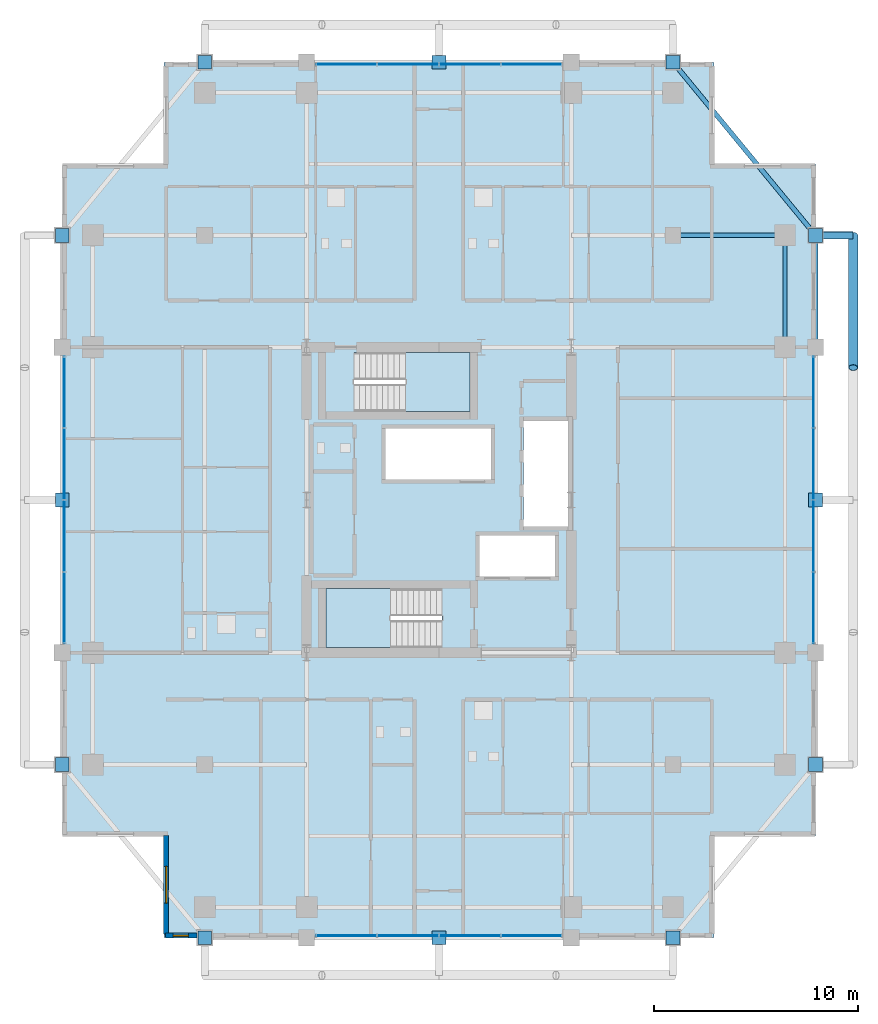
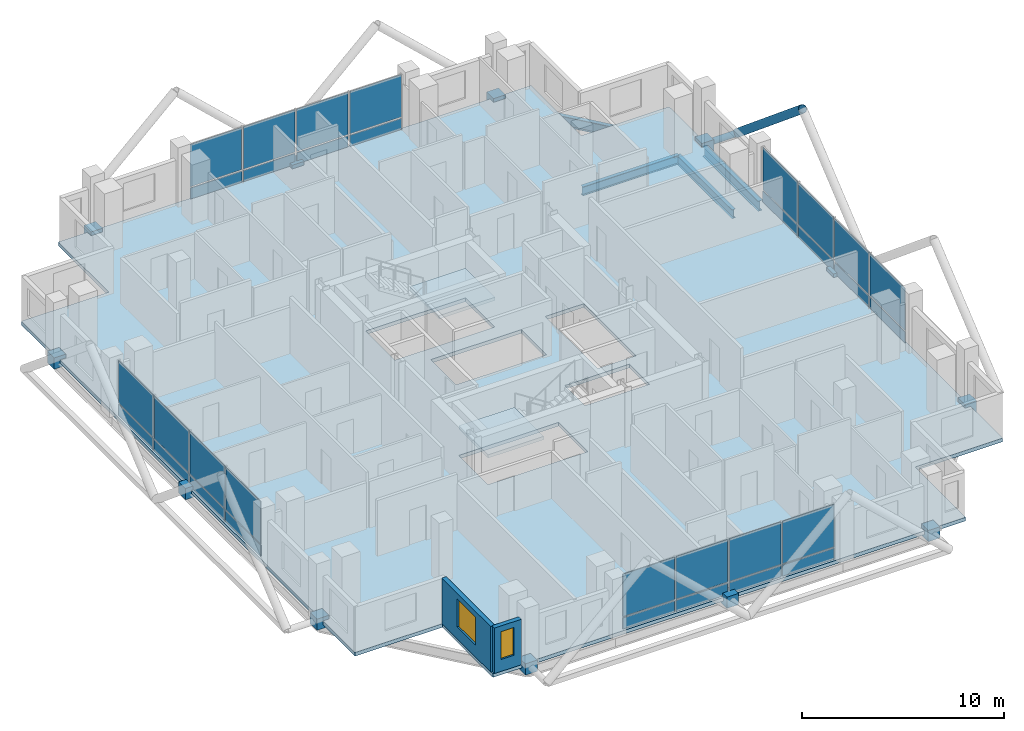
# One storey, part 19 of 26: 44 plates, 4 beams, 3 slabs, 2 members, 2 walls, 2 windows, 2 openings, 6 elements without a shape of their own.
"""IFC4 building model written with IfcOpenShell, lengths in metres."""

from ifc_helpers import new_model, si_unit, direction, frame, frame_2d, origin, origin_2d, place, context, subcontext, project, spatial, polyline, rectangle, hollow_circle, i_section, outline, extrude, material, layer, layer_set, material_profile, profile_set, type_object, element, fill, aggregate, save


model = new_model("IFC4")

# Units and contexts
model_context = context("Model", 3, precision=1e-05, world=origin(), true_north=direction((0.0, 1.0)))
body_context = subcontext(model_context, "Body", "Model", "MODEL_VIEW")
ifc_project = project(units=[si_unit("LENGTHUNIT", "METRE"), si_unit("AREAUNIT", "SQUARE_METRE"), si_unit("VOLUMEUNIT", "CUBIC_METRE"), si_unit("PLANEANGLEUNIT", "RADIAN"), si_unit("MASSUNIT", "GRAM", prefix="KILO")], contexts=[model_context])

# Site, building, storey
site_placement = place(None, origin())
site = spatial("IfcSite", under=ifc_project, at=site_placement, CompositionType="ELEMENT")
building_placement = place(site_placement, origin())
building = spatial("IfcBuilding", under=site, at=building_placement, Name="Barlavira Tower and Art Museum", CompositionType="ELEMENT")
storey_placement = place(building_placement, frame((0.0, 0.0, 187.199951171875)))
storey = spatial("IfcBuildingStorey", under=building, at=storey_placement, Name="L48", CompositionType="ELEMENT", Elevation=187.199951171875)

# Members
ifc_material_1 = material(Name="Steel S355", Category="steel")
ifc_material_profile_1 = material_profile(ifc_material_1, hollow_circle(Radius=0.228515625, WallThickness=0.02001953125, at=origin_2d()), Name="CHS 457.0x20.0")
ifc_profile_set_1 = profile_set([ifc_material_profile_1], Name="Steel S355")
member_type_1 = type_object("IfcMemberType", Name="Pale-Metal Exoskeleton Diagrid Tube CHS 457x20 Steel S355", PredefinedType="BRACE", material=ifc_profile_set_1)
member_1_placement = place(storey_placement, frame((20.35009765625, 13.0, -0.119873046875), z_axis=(0.0, -0.769196053329, 0.639012857104), x_axis=(1.0, 0.0, 0.0)))
element("IfcMember", 1, at=member_1_placement, inside=storey, type_object=member_type_1, Name="L48 Exoskeleton Diagrid Tube E", PredefinedType="BRACE", context=body_context, shape_type="SweptSolid", body=[
    extrude(hollow_circle(Radius=0.228515625, WallThickness=0.02001953125, at=origin_2d()), origin(), (0.0, 0.0, 1.0), 8.450439453125),
])
ifc_material_profile_2 = material_profile(ifc_material_1, hollow_circle(Radius=0.177734375, WallThickness=0.01611328125, at=origin_2d()), Name="CHS 355.6x16.0")
ifc_profile_set_2 = profile_set([ifc_material_profile_2], Name="Steel S355")
member_type_2 = type_object("IfcMemberType", Name="Pale-Metal Exoskeleton Tie Strut CHS 356x16 Steel S355", PredefinedType="STRUT", material=ifc_profile_set_2)
member_2_placement = place(storey_placement, frame((20.35009765625, 13.0, -0.119873046875), z_axis=(-1.0, 0.0, 0.0), x_axis=(0.0, -1.0, 0.0)))
element("IfcMember", 2, at=member_2_placement, inside=storey, type_object=member_type_2, Name="L48 Exoskeleton Tie Strut E3", PredefinedType="STRUT", context=body_context, shape_type="SweptSolid", body=[
    extrude(hollow_circle(Radius=0.177734375, WallThickness=0.01611328125, at=origin_2d()), origin(), (0.0, 0.0, 1.0), 1.85009765625),
])

# Beams
ifc_material_profile_3 = material_profile(ifc_material_1, i_section(OverallWidth=0.22998046875, OverallDepth=0.616943359375, WebThickness=0.01318359375, FlangeThickness=0.022216796875, at=origin_2d()), Name="W610x140.0")
ifc_profile_set_3 = profile_set([ifc_material_profile_3], Name="Steel S355")
beam_type_1 = type_object("IfcBeamType", Name="Upper Shaft Spandrel Edge Beam W610x140 Steel S355", PredefinedType="SPANDREL", material=ifc_profile_set_3)
beam_1_placement = place(storey_placement, frame((18.5, 7.5, -0.528564453125), z_axis=(0.0, 1.0, 0.0), x_axis=(-1.0, 0.0, 0.0)))
element("IfcBeam", 3, at=beam_1_placement, inside=storey, type_object=beam_type_1, Name="L48 Spandrel 7", PredefinedType="SPANDREL", context=body_context, shape_type="SweptSolid", body=[
    extrude(i_section(OverallWidth=0.22998046875, OverallDepth=0.616943359375, WebThickness=0.01318359375, FlangeThickness=0.022216796875, at=origin_2d()), origin(), (0.0, 0.0, 1.0), 5.5),
])
beam_2_placement = place(storey_placement, frame((18.5, 13.0, -0.528564453125), z_axis=(-0.635707252861, 0.771930235617, 0.0), x_axis=(-0.771930235617, -0.635707252861, 0.0)))
element("IfcBeam", 4, at=beam_2_placement, inside=storey, type_object=beam_type_1, Name="L48 Spandrel 8", PredefinedType="SPANDREL", context=body_context, shape_type="SweptSolid", body=[
    extrude(i_section(OverallWidth=0.22998046875, OverallDepth=0.616943359375, WebThickness=0.01318359375, FlangeThickness=0.022216796875, at=origin_2d()), origin(), (0.0, 0.0, 1.0), 11.011474609375),
])
ifc_material_profile_4 = material_profile(ifc_material_1, i_section(OverallWidth=0.2109375, OverallDepth=0.5390625, WebThickness=0.01171875, FlangeThickness=0.018798828125, at=origin_2d()), Name="W530x109.0")
ifc_profile_set_4 = profile_set([ifc_material_profile_4], Name="Steel S355")
beam_type_2 = type_object("IfcBeamType", Name="Zone 3-4 Primary Floor Girder W530x109 Steel S355", PredefinedType="BEAM", material=ifc_profile_set_4)
for number, where, z_axis, x_axis, name in (
    (5, (17.0, 7.5, -0.489501953125), (0.0, 1.0, 0.0), (-1.0, 0.0, 0.0), "L48 Girder M-E3"),
    (6, (11.5, 13.0, -0.489501953125), (1.0, 0.0, 0.0), (0.0, 1.0, 0.0), "L48 Girder I-N4"),
):
    element("IfcBeam", number, at=place(storey_placement, frame(where, z_axis=z_axis, x_axis=x_axis)), inside=storey, type_object=beam_type_2, Name=name, PredefinedType="BEAM", context=body_context, shape_type="SweptSolid", body=[
        extrude(i_section(OverallWidth=0.2109375, OverallDepth=0.5390625, WebThickness=0.01171875, FlangeThickness=0.018798828125, at=origin_2d()), origin(), (0.0, 0.0, 1.0), 5.5),
    ])

# Curtain wall, plates
ifc_material_2 = material(Name="Low-iron coastal laminated glass", Category="glass")
ifc_layer_1 = layer(ifc_material_2, 0.199951171875, Name="Low-iron coastal laminated glass")
ifc_layer_set_1 = layer_set([ifc_layer_1], Name="Low-iron coastal laminated glass")
curtain_wall_type = type_object("IfcCurtainWallType", Name="Pale-Metal Unitised Curtain Wall Zone 3", PredefinedType="NOTDEFINED", material=ifc_layer_set_1)
curtain_wall_1_placement = place(storey_placement, origin())
curtain_wall_1 = element("IfcCurtainWall", 7, at=curtain_wall_1_placement, inside=storey, type_object=curtain_wall_type, Name="L48 Curtain Wall CW3-L48-S-B3", PredefinedType="NOTDEFINED")
ifc_material_3 = material(Name="Pale anodised aluminium", Category="aluminium")
ifc_layer_2 = layer(ifc_material_3, 0.044921875, Name="Pale anodised aluminium")
ifc_layer_set_2 = layer_set([ifc_layer_2], Name="Pale anodised aluminium")
plate_type_1 = type_object("IfcPlateType", Name="Curtain Wall Pale-Metal Spandrel Panel 45", PredefinedType="CURTAIN_PANEL", material=ifc_layer_set_2)
plate_1_placement = place(storey_placement, frame((-4.56005859375, -21.39990234375, 0.0400390625), z_axis=(0.0, 0.0, 1.0), x_axis=(1.0, 0.0, 0.0)))
plate_1 = element("IfcPlate", 8, at=plate_1_placement, type_object=plate_type_1, Name="CW3-L48-S-B3 Spandrel Panel 0", PredefinedType="CURTAIN_PANEL", context=body_context, shape_type="SweptSolid", body=[
    extrude(rectangle(XDim=2.93994140625, YDim=0.044921875, at=origin_2d()), origin(), (0.0, 0.0, 1.0), 0.6640625),
])
plate_2_placement = place(storey_placement, frame((-1.52001953125, -21.39990234375, 0.0400390625), z_axis=(0.0, 0.0, 1.0), x_axis=(1.0, 0.0, 0.0)))
plate_2 = element("IfcPlate", 9, at=plate_2_placement, type_object=plate_type_1, Name="CW3-L48-S-B3 Spandrel Panel 1", PredefinedType="CURTAIN_PANEL", context=body_context, shape_type="SweptSolid", body=[
    extrude(rectangle(XDim=2.93994140625, YDim=0.044921875, at=origin_2d()), origin(), (0.0, 0.0, 1.0), 0.6640625),
])
plate_3_placement = place(storey_placement, frame((1.52001953125, -21.39990234375, 0.0400390625), z_axis=(0.0, 0.0, 1.0), x_axis=(1.0, 0.0, 0.0)))
plate_3 = element("IfcPlate", 10, at=plate_3_placement, type_object=plate_type_1, Name="CW3-L48-S-B3 Spandrel Panel 2", PredefinedType="CURTAIN_PANEL", context=body_context, shape_type="SweptSolid", body=[
    extrude(rectangle(XDim=2.93994140625, YDim=0.044921875, at=origin_2d()), origin(), (0.0, 0.0, 1.0), 0.6640625),
])
plate_4_placement = place(storey_placement, frame((4.56005859375, -21.39990234375, 0.0400390625), z_axis=(0.0, 0.0, 1.0), x_axis=(1.0, 0.0, 0.0)))
plate_4 = element("IfcPlate", 11, at=plate_4_placement, type_object=plate_type_1, Name="CW3-L48-S-B3 Spandrel Panel 3", PredefinedType="CURTAIN_PANEL", context=body_context, shape_type="SweptSolid", body=[
    extrude(rectangle(XDim=2.93994140625, YDim=0.044921875, at=origin_2d()), origin(), (0.0, 0.0, 1.0), 0.6640625),
])

curtain_wall_2_placement = place(storey_placement, origin())
curtain_wall_2 = element("IfcCurtainWall", 12, at=curtain_wall_2_placement, inside=storey, type_object=curtain_wall_type, Name="L48 Curtain Wall CW3-L48-N-B3", PredefinedType="NOTDEFINED")
plate_5_placement = place(storey_placement, frame((4.56005859375, 21.39990234375, 0.0400390625), z_axis=(0.0, 0.0, 1.0), x_axis=(-1.0, 0.0, 0.0)))
plate_5 = element("IfcPlate", 13, at=plate_5_placement, type_object=plate_type_1, Name="CW3-L48-N-B3 Spandrel Panel 0", PredefinedType="CURTAIN_PANEL", context=body_context, shape_type="SweptSolid", body=[
    extrude(rectangle(XDim=2.93994140625, YDim=0.044921875, at=origin_2d()), origin(), (0.0, 0.0, 1.0), 0.6640625),
])
plate_6_placement = place(storey_placement, frame((1.52001953125, 21.39990234375, 0.0400390625), z_axis=(0.0, 0.0, 1.0), x_axis=(-1.0, 0.0, 0.0)))
plate_6 = element("IfcPlate", 14, at=plate_6_placement, type_object=plate_type_1, Name="CW3-L48-N-B3 Spandrel Panel 1", PredefinedType="CURTAIN_PANEL", context=body_context, shape_type="SweptSolid", body=[
    extrude(rectangle(XDim=2.93994140625, YDim=0.044921875, at=origin_2d()), origin(), (0.0, 0.0, 1.0), 0.6640625),
])
plate_7_placement = place(storey_placement, frame((-1.52001953125, 21.39990234375, 0.0400390625), z_axis=(0.0, 0.0, 1.0), x_axis=(-1.0, 0.0, 0.0)))
plate_7 = element("IfcPlate", 15, at=plate_7_placement, type_object=plate_type_1, Name="CW3-L48-N-B3 Spandrel Panel 2", PredefinedType="CURTAIN_PANEL", context=body_context, shape_type="SweptSolid", body=[
    extrude(rectangle(XDim=2.93994140625, YDim=0.044921875, at=origin_2d()), origin(), (0.0, 0.0, 1.0), 0.6640625),
])
plate_8_placement = place(storey_placement, frame((-4.56005859375, 21.39990234375, 0.0400390625), z_axis=(0.0, 0.0, 1.0), x_axis=(-1.0, 0.0, 0.0)))
plate_8 = element("IfcPlate", 16, at=plate_8_placement, type_object=plate_type_1, Name="CW3-L48-N-B3 Spandrel Panel 3", PredefinedType="CURTAIN_PANEL", context=body_context, shape_type="SweptSolid", body=[
    extrude(rectangle(XDim=2.93994140625, YDim=0.044921875, at=origin_2d()), origin(), (0.0, 0.0, 1.0), 0.6640625),
])

curtain_wall_3_placement = place(storey_placement, origin())
curtain_wall_3 = element("IfcCurtainWall", 17, at=curtain_wall_3_placement, inside=storey, type_object=curtain_wall_type, Name="L48 Curtain Wall CW3-L48-W-B3", PredefinedType="NOTDEFINED")
plate_9_placement = place(storey_placement, frame((-18.39990234375, 5.31005859375, 0.0400390625), z_axis=(0.0, 0.0, 1.0), x_axis=(0.0, -1.0, 0.0)))
plate_9 = element("IfcPlate", 18, at=plate_9_placement, type_object=plate_type_1, Name="CW3-L48-W-B3 Spandrel Panel 0", PredefinedType="CURTAIN_PANEL", context=body_context, shape_type="SweptSolid", body=[
    extrude(rectangle(XDim=3.43994140625, YDim=0.044921875, at=origin_2d()), origin(), (0.0, 0.0, 1.0), 0.6640625),
])
plate_10_placement = place(storey_placement, frame((-18.39990234375, 1.77001953125, 0.0400390625), z_axis=(0.0, 0.0, 1.0), x_axis=(0.0, -1.0, 0.0)))
plate_10 = element("IfcPlate", 19, at=plate_10_placement, type_object=plate_type_1, Name="CW3-L48-W-B3 Spandrel Panel 1", PredefinedType="CURTAIN_PANEL", context=body_context, shape_type="SweptSolid", body=[
    extrude(rectangle(XDim=3.43994140625, YDim=0.044921875, at=origin_2d()), origin(), (0.0, 0.0, 1.0), 0.6640625),
])
plate_11_placement = place(storey_placement, frame((-18.39990234375, -1.77001953125, 0.0400390625), z_axis=(0.0, 0.0, 1.0), x_axis=(0.0, -1.0, 0.0)))
plate_11 = element("IfcPlate", 20, at=plate_11_placement, type_object=plate_type_1, Name="CW3-L48-W-B3 Spandrel Panel 2", PredefinedType="CURTAIN_PANEL", context=body_context, shape_type="SweptSolid", body=[
    extrude(rectangle(XDim=3.43994140625, YDim=0.044921875, at=origin_2d()), origin(), (0.0, 0.0, 1.0), 0.6640625),
])
plate_12_placement = place(storey_placement, frame((-18.39990234375, -5.31005859375, 0.0400390625), z_axis=(0.0, 0.0, 1.0), x_axis=(0.0, -1.0, 0.0)))
plate_12 = element("IfcPlate", 21, at=plate_12_placement, type_object=plate_type_1, Name="CW3-L48-W-B3 Spandrel Panel 3", PredefinedType="CURTAIN_PANEL", context=body_context, shape_type="SweptSolid", body=[
    extrude(rectangle(XDim=3.43994140625, YDim=0.044921875, at=origin_2d()), origin(), (0.0, 0.0, 1.0), 0.6640625),
])

curtain_wall_4_placement = place(storey_placement, origin())
curtain_wall_4 = element("IfcCurtainWall", 22, at=curtain_wall_4_placement, inside=storey, type_object=curtain_wall_type, Name="L48 Curtain Wall CW3-L48-E-B3", PredefinedType="NOTDEFINED")
plate_13_placement = place(storey_placement, frame((18.39990234375, -5.31005859375, 0.0400390625), z_axis=(0.0, 0.0, 1.0), x_axis=(0.0, 1.0, 0.0)))
plate_13 = element("IfcPlate", 23, at=plate_13_placement, type_object=plate_type_1, Name="CW3-L48-E-B3 Spandrel Panel 0", PredefinedType="CURTAIN_PANEL", context=body_context, shape_type="SweptSolid", body=[
    extrude(rectangle(XDim=3.43994140625, YDim=0.044921875, at=origin_2d()), origin(), (0.0, 0.0, 1.0), 0.6640625),
])
plate_14_placement = place(storey_placement, frame((18.39990234375, -1.77001953125, 0.0400390625), z_axis=(0.0, 0.0, 1.0), x_axis=(0.0, 1.0, 0.0)))
plate_14 = element("IfcPlate", 24, at=plate_14_placement, type_object=plate_type_1, Name="CW3-L48-E-B3 Spandrel Panel 1", PredefinedType="CURTAIN_PANEL", context=body_context, shape_type="SweptSolid", body=[
    extrude(rectangle(XDim=3.43994140625, YDim=0.044921875, at=origin_2d()), origin(), (0.0, 0.0, 1.0), 0.6640625),
])
plate_15_placement = place(storey_placement, frame((18.39990234375, 1.77001953125, 0.0400390625), z_axis=(0.0, 0.0, 1.0), x_axis=(0.0, 1.0, 0.0)))
plate_15 = element("IfcPlate", 25, at=plate_15_placement, type_object=plate_type_1, Name="CW3-L48-E-B3 Spandrel Panel 2", PredefinedType="CURTAIN_PANEL", context=body_context, shape_type="SweptSolid", body=[
    extrude(rectangle(XDim=3.43994140625, YDim=0.044921875, at=origin_2d()), origin(), (0.0, 0.0, 1.0), 0.6640625),
])
plate_16_placement = place(storey_placement, frame((18.39990234375, 5.31005859375, 0.0400390625), z_axis=(0.0, 0.0, 1.0), x_axis=(0.0, 1.0, 0.0)))
plate_16 = element("IfcPlate", 26, at=plate_16_placement, type_object=plate_type_1, Name="CW3-L48-E-B3 Spandrel Panel 3", PredefinedType="CURTAIN_PANEL", context=body_context, shape_type="SweptSolid", body=[
    extrude(rectangle(XDim=3.43994140625, YDim=0.044921875, at=origin_2d()), origin(), (0.0, 0.0, 1.0), 0.6640625),
])

# Plate
ifc_layer_3 = layer(ifc_material_2, 0.028076171875, Name="Low-iron coastal laminated glass")
ifc_layer_set_3 = layer_set([ifc_layer_3], Name="Low-iron coastal laminated glass")
plate_type_2 = type_object("IfcPlateType", Name="Curtain Wall Vision Glazing Panel 28", PredefinedType="CURTAIN_PANEL", material=ifc_layer_set_3)
plate_17_placement = place(storey_placement, frame((-4.56005859375, -21.39990234375, 0.7841796875), z_axis=(0.0, 0.0, 1.0), x_axis=(1.0, 0.0, 0.0)))
plate_17 = element("IfcPlate", 27, at=plate_17_placement, type_object=plate_type_2, Name="CW3-L48-S-B3 Vision Glass Panel 0", PredefinedType="CURTAIN_PANEL", context=body_context, shape_type="SweptSolid", body=[
    extrude(rectangle(XDim=2.93994140625, YDim=0.028076171875, at=origin_2d()), origin(), (0.0, 0.0, 1.0), 2.555908203125),
])

plate_18_placement = place(storey_placement, frame((-1.52001953125, -21.39990234375, 0.7841796875), z_axis=(0.0, 0.0, 1.0), x_axis=(1.0, 0.0, 0.0)))
plate_18 = element("IfcPlate", 28, at=plate_18_placement, type_object=plate_type_2, Name="CW3-L48-S-B3 Vision Glass Panel 1", PredefinedType="CURTAIN_PANEL", context=body_context, shape_type="SweptSolid", body=[
    extrude(rectangle(XDim=2.93994140625, YDim=0.028076171875, at=origin_2d()), origin(), (0.0, 0.0, 1.0), 2.555908203125),
])

plate_19_placement = place(storey_placement, frame((1.52001953125, -21.39990234375, 0.7841796875), z_axis=(0.0, 0.0, 1.0), x_axis=(1.0, 0.0, 0.0)))
plate_19 = element("IfcPlate", 29, at=plate_19_placement, type_object=plate_type_2, Name="CW3-L48-S-B3 Vision Glass Panel 2", PredefinedType="CURTAIN_PANEL", context=body_context, shape_type="SweptSolid", body=[
    extrude(rectangle(XDim=2.93994140625, YDim=0.028076171875, at=origin_2d()), origin(), (0.0, 0.0, 1.0), 2.555908203125),
])

plate_20_placement = place(storey_placement, frame((4.56005859375, -21.39990234375, 0.7841796875), z_axis=(0.0, 0.0, 1.0), x_axis=(1.0, 0.0, 0.0)))
plate_20 = element("IfcPlate", 30, at=plate_20_placement, type_object=plate_type_2, Name="CW3-L48-S-B3 Vision Glass Panel 3", PredefinedType="CURTAIN_PANEL", context=body_context, shape_type="SweptSolid", body=[
    extrude(rectangle(XDim=2.93994140625, YDim=0.028076171875, at=origin_2d()), origin(), (0.0, 0.0, 1.0), 2.555908203125),
])

aggregate(curtain_wall_1, [plate_1, plate_17, plate_2, plate_18, plate_3, plate_19, plate_4, plate_20])

plate_21_placement = place(storey_placement, frame((4.56005859375, 21.39990234375, 0.7841796875), z_axis=(0.0, 0.0, 1.0), x_axis=(-1.0, 0.0, 0.0)))
plate_21 = element("IfcPlate", 31, at=plate_21_placement, type_object=plate_type_2, Name="CW3-L48-N-B3 Vision Glass Panel 0", PredefinedType="CURTAIN_PANEL", context=body_context, shape_type="SweptSolid", body=[
    extrude(rectangle(XDim=2.93994140625, YDim=0.028076171875, at=origin_2d()), origin(), (0.0, 0.0, 1.0), 2.555908203125),
])

plate_22_placement = place(storey_placement, frame((1.52001953125, 21.39990234375, 0.7841796875), z_axis=(0.0, 0.0, 1.0), x_axis=(-1.0, 0.0, 0.0)))
plate_22 = element("IfcPlate", 32, at=plate_22_placement, type_object=plate_type_2, Name="CW3-L48-N-B3 Vision Glass Panel 1", PredefinedType="CURTAIN_PANEL", context=body_context, shape_type="SweptSolid", body=[
    extrude(rectangle(XDim=2.93994140625, YDim=0.028076171875, at=origin_2d()), origin(), (0.0, 0.0, 1.0), 2.555908203125),
])

plate_23_placement = place(storey_placement, frame((-1.52001953125, 21.39990234375, 0.7841796875), z_axis=(0.0, 0.0, 1.0), x_axis=(-1.0, 0.0, 0.0)))
plate_23 = element("IfcPlate", 33, at=plate_23_placement, type_object=plate_type_2, Name="CW3-L48-N-B3 Vision Glass Panel 2", PredefinedType="CURTAIN_PANEL", context=body_context, shape_type="SweptSolid", body=[
    extrude(rectangle(XDim=2.93994140625, YDim=0.028076171875, at=origin_2d()), origin(), (0.0, 0.0, 1.0), 2.555908203125),
])

plate_24_placement = place(storey_placement, frame((-4.56005859375, 21.39990234375, 0.7841796875), z_axis=(0.0, 0.0, 1.0), x_axis=(-1.0, 0.0, 0.0)))
plate_24 = element("IfcPlate", 34, at=plate_24_placement, type_object=plate_type_2, Name="CW3-L48-N-B3 Vision Glass Panel 3", PredefinedType="CURTAIN_PANEL", context=body_context, shape_type="SweptSolid", body=[
    extrude(rectangle(XDim=2.93994140625, YDim=0.028076171875, at=origin_2d()), origin(), (0.0, 0.0, 1.0), 2.555908203125),
])

aggregate(curtain_wall_2, [plate_5, plate_21, plate_6, plate_22, plate_7, plate_23, plate_8, plate_24])

plate_25_placement = place(storey_placement, frame((-18.39990234375, 5.31005859375, 0.7841796875), z_axis=(0.0, 0.0, 1.0), x_axis=(0.0, -1.0, 0.0)))
plate_25 = element("IfcPlate", 35, at=plate_25_placement, type_object=plate_type_2, Name="CW3-L48-W-B3 Vision Glass Panel 0", PredefinedType="CURTAIN_PANEL", context=body_context, shape_type="SweptSolid", body=[
    extrude(rectangle(XDim=3.43994140625, YDim=0.028076171875, at=origin_2d()), origin(), (0.0, 0.0, 1.0), 2.555908203125),
])

plate_26_placement = place(storey_placement, frame((-18.39990234375, 1.77001953125, 0.7841796875), z_axis=(0.0, 0.0, 1.0), x_axis=(0.0, -1.0, 0.0)))
plate_26 = element("IfcPlate", 36, at=plate_26_placement, type_object=plate_type_2, Name="CW3-L48-W-B3 Vision Glass Panel 1", PredefinedType="CURTAIN_PANEL", context=body_context, shape_type="SweptSolid", body=[
    extrude(rectangle(XDim=3.43994140625, YDim=0.028076171875, at=origin_2d()), origin(), (0.0, 0.0, 1.0), 2.555908203125),
])

plate_27_placement = place(storey_placement, frame((-18.39990234375, -1.77001953125, 0.7841796875), z_axis=(0.0, 0.0, 1.0), x_axis=(0.0, -1.0, 0.0)))
plate_27 = element("IfcPlate", 37, at=plate_27_placement, type_object=plate_type_2, Name="CW3-L48-W-B3 Vision Glass Panel 2", PredefinedType="CURTAIN_PANEL", context=body_context, shape_type="SweptSolid", body=[
    extrude(rectangle(XDim=3.43994140625, YDim=0.028076171875, at=origin_2d()), origin(), (0.0, 0.0, 1.0), 2.555908203125),
])

plate_28_placement = place(storey_placement, frame((-18.39990234375, -5.31005859375, 0.7841796875), z_axis=(0.0, 0.0, 1.0), x_axis=(0.0, -1.0, 0.0)))
plate_28 = element("IfcPlate", 38, at=plate_28_placement, type_object=plate_type_2, Name="CW3-L48-W-B3 Vision Glass Panel 3", PredefinedType="CURTAIN_PANEL", context=body_context, shape_type="SweptSolid", body=[
    extrude(rectangle(XDim=3.43994140625, YDim=0.028076171875, at=origin_2d()), origin(), (0.0, 0.0, 1.0), 2.555908203125),
])

aggregate(curtain_wall_3, [plate_9, plate_25, plate_10, plate_26, plate_11, plate_27, plate_12, plate_28])

plate_29_placement = place(storey_placement, frame((18.39990234375, -5.31005859375, 0.7841796875), z_axis=(0.0, 0.0, 1.0), x_axis=(0.0, 1.0, 0.0)))
plate_29 = element("IfcPlate", 39, at=plate_29_placement, type_object=plate_type_2, Name="CW3-L48-E-B3 Vision Glass Panel 0", PredefinedType="CURTAIN_PANEL", context=body_context, shape_type="SweptSolid", body=[
    extrude(rectangle(XDim=3.43994140625, YDim=0.028076171875, at=origin_2d()), origin(), (0.0, 0.0, 1.0), 2.555908203125),
])

plate_30_placement = place(storey_placement, frame((18.39990234375, -1.77001953125, 0.7841796875), z_axis=(0.0, 0.0, 1.0), x_axis=(0.0, 1.0, 0.0)))
plate_30 = element("IfcPlate", 40, at=plate_30_placement, type_object=plate_type_2, Name="CW3-L48-E-B3 Vision Glass Panel 1", PredefinedType="CURTAIN_PANEL", context=body_context, shape_type="SweptSolid", body=[
    extrude(rectangle(XDim=3.43994140625, YDim=0.028076171875, at=origin_2d()), origin(), (0.0, 0.0, 1.0), 2.555908203125),
])

plate_31_placement = place(storey_placement, frame((18.39990234375, 1.77001953125, 0.7841796875), z_axis=(0.0, 0.0, 1.0), x_axis=(0.0, 1.0, 0.0)))
plate_31 = element("IfcPlate", 41, at=plate_31_placement, type_object=plate_type_2, Name="CW3-L48-E-B3 Vision Glass Panel 2", PredefinedType="CURTAIN_PANEL", context=body_context, shape_type="SweptSolid", body=[
    extrude(rectangle(XDim=3.43994140625, YDim=0.028076171875, at=origin_2d()), origin(), (0.0, 0.0, 1.0), 2.555908203125),
])

plate_32_placement = place(storey_placement, frame((18.39990234375, 5.31005859375, 0.7841796875), z_axis=(0.0, 0.0, 1.0), x_axis=(0.0, 1.0, 0.0)))
plate_32 = element("IfcPlate", 42, at=plate_32_placement, type_object=plate_type_2, Name="CW3-L48-E-B3 Vision Glass Panel 3", PredefinedType="CURTAIN_PANEL", context=body_context, shape_type="SweptSolid", body=[
    extrude(rectangle(XDim=3.43994140625, YDim=0.028076171875, at=origin_2d()), origin(), (0.0, 0.0, 1.0), 2.555908203125),
])

aggregate(curtain_wall_4, [plate_13, plate_29, plate_14, plate_30, plate_15, plate_31, plate_16, plate_32])

# Plates
ifc_layer_4 = layer(ifc_material_1, 0.679931640625, Name="Steel S355")
ifc_layer_set_4 = layer_set([ifc_layer_4], Name="Steel S355")
plate_type_3 = type_object("IfcPlateType", Name="Exoskeleton Tie-Back Solid Cap Plate Assembly Type 5 Steel S355", PredefinedType="USERDEFINED", material=ifc_layer_set_4)
for number, where, z_axis, x_axis, name in (
    (43, (-11.5, -21.5, -0.4599609375), (0.0, 0.0, 1.0), (1.0, 0.0, 0.0), "Slab Edge Tie Cap Plate S1 ND-L48-0522"),
    (44, (0.0, -21.5, -0.4599609375), (0.0, 0.0, 1.0), (1.0, 0.0, 0.0), "Slab Edge Tie Cap Plate S2 ND-L48-0523"),
    (45, (11.5, -21.5, -0.4599609375), (0.0, 0.0, 1.0), (1.0, 0.0, 0.0), "Slab Edge Tie Cap Plate S3 ND-L48-0524"),
    (46, (-11.5, 21.5, -0.4599609375), (0.0, 0.0, 1.0), (1.0, 0.0, 0.0), "Slab Edge Tie Cap Plate N1 ND-L48-0530"),
    (47, (0.0, 21.5, -0.4599609375), (0.0, 0.0, 1.0), (1.0, 0.0, 0.0), "Slab Edge Tie Cap Plate N2 ND-L48-0531"),
    (48, (11.5, 21.5, -0.4599609375), (0.0, 0.0, 1.0), (1.0, 0.0, 0.0), "Slab Edge Tie Cap Plate N3 ND-L48-0532"),
    (49, (-18.5, -13.0, -0.4599609375), (0.0, 0.0, 1.0), (1.0, 0.0, 0.0), "Slab Edge Tie Cap Plate W1 ND-L48-0538"),
    (50, (-18.5, 0.0, -0.4599609375), (0.0, 0.0, 1.0), (1.0, 0.0, 0.0), "Slab Edge Tie Cap Plate W2 ND-L48-0539"),
    (51, (-18.5, 13.0, -0.4599609375), (0.0, 0.0, 1.0), (1.0, 0.0, 0.0), "Slab Edge Tie Cap Plate W3 ND-L48-0540"),
    (52, (18.5, -13.0, -0.4599609375), (0.0, 0.0, 1.0), (1.0, 0.0, 0.0), "Slab Edge Tie Cap Plate E1 ND-L48-0546"),
    (53, (18.5, 0.0, -0.4599609375), (0.0, 0.0, 1.0), (1.0, 0.0, 0.0), "Slab Edge Tie Cap Plate E2 ND-L48-0547"),
    (54, (18.5, 13.0, -0.4599609375), (0.0, 0.0, 1.0), (1.0, 0.0, 0.0), "Slab Edge Tie Cap Plate E3 ND-L48-0548"),
):
    element("IfcPlate", number, at=place(storey_placement, frame(where, z_axis=z_axis, x_axis=x_axis)), inside=storey, type_object=plate_type_3, Name=name, ObjectType="FLANGE_PLATE", PredefinedType="USERDEFINED", context=body_context, shape_type="SweptSolid", body=[
        extrude(rectangle(XDim=0.679931640625, YDim=0.679931640625, at=origin_2d()), origin(), (0.0, 0.0, 1.0), 0.679931640625),
    ])

# Stair, slab
ifc_material_4 = material(Name="Concrete C45", Category="concrete")
stair_type_1 = type_object("IfcStairType", Name="Tower North Dog-Leg Exit Stair Assembly Concrete C45", PredefinedType="TWO_QUARTER_TURN_STAIR", material=ifc_material_4)
stair_1_placement = place(storey_placement, origin())
stair_1 = element("IfcStair", 55, at=stair_1_placement, inside=storey, type_object=stair_type_1, Name="L48 Tower North Exit Stair ST-T2", PredefinedType="TWO_QUARTER_TURN_STAIR")
ifc_layer_5 = layer(ifc_material_4, 0.199951171875, Name="Concrete C45")
ifc_layer_set_5 = layer_set([ifc_layer_5], Name="Concrete C45")
slab_type_1 = type_object("IfcSlabType", Name="Tower North Dog-Leg Exit Stair Half-Landing Slab 200 Concrete C45", PredefinedType="LANDING", material=ifc_layer_set_5)
slab_1_placement = place(storey_placement, frame((0.0, 0.0, 1.60009765625)))
slab_1 = element("IfcSlab", 56, at=slab_1_placement, type_object=slab_type_1, Name="ST-T2 landing 1", PredefinedType="LANDING", context=body_context, shape_type="SweptSolid", body=[
    extrude(outline(polyline([(-1.64990234375, 4.35009765625), (1.530029296875, 4.35009765625), (1.530029296875, 7.25), (-1.64990234375, 7.25), (-1.64990234375, 4.35009765625)])), origin(), (0.0, 0.0, 1.0), 0.199951171875),
])
aggregate(stair_1, [slab_1])

stair_type_2 = type_object("IfcStairType", Name="Tower South Dog-Leg Exit Stair Assembly Concrete C45", PredefinedType="TWO_QUARTER_TURN_STAIR", material=ifc_material_4)
stair_2_placement = place(storey_placement, origin())
stair_2 = element("IfcStair", 57, at=stair_2_placement, inside=storey, type_object=stair_type_2, Name="L48 Tower South Exit Stair ST-T1", PredefinedType="TWO_QUARTER_TURN_STAIR")
ifc_layer_6 = layer(ifc_material_4, 0.199951171875, Name="Concrete C45")
ifc_layer_set_6 = layer_set([ifc_layer_6], Name="Concrete C45")
slab_type_2 = type_object("IfcSlabType", Name="Tower South Dog-Leg Exit Stair Half-Landing Slab 200 Concrete C45", PredefinedType="LANDING", material=ifc_layer_set_6)
slab_2_placement = place(storey_placement, frame((0.0, 0.0, 1.60009765625)))
slab_2 = element("IfcSlab", 58, at=slab_2_placement, type_object=slab_type_2, Name="ST-T1 landing 1", PredefinedType="LANDING", context=body_context, shape_type="SweptSolid", body=[
    extrude(outline(polyline([(-2.3701171875, -4.35009765625), (-5.550048828125, -4.35009765625), (-5.550048828125, -7.25), (-2.3701171875, -7.25), (-2.3701171875, -4.35009765625)])), origin(), (0.0, 0.0, 1.0), 0.199951171875),
])
aggregate(stair_2, [slab_2])

# Slab
ifc_material_5 = material(Name="Concrete C50", Category="concrete")
ifc_layer_7 = layer(ifc_material_5, 0.199951171875, Name="Concrete C50")
ifc_layer_set_7 = layer_set([ifc_layer_7], Name="Concrete C50")
slab_type_3 = type_object("IfcSlabType", Name="Zone 3 Residential Composite Slab 200 Concrete C50", PredefinedType="FLOOR", material=ifc_layer_set_7)
slab_3_placement = place(storey_placement, frame((0.0, 0.0, -0.219970703125)))
element("IfcSlab", 59, at=slab_3_placement, inside=storey, type_object=slab_type_3, Name="L48 Tower Floor Slab", PredefinedType="FLOOR", context=body_context, shape_type="SweptSolid", body=[
    extrude(outline(polyline([(-13.5, -21.5), (13.5, -21.5), (13.5, -16.5), (18.5, -16.5), (18.5, 16.5), (13.5, 16.5), (13.5, 21.5), (-13.5, 21.5), (-13.5, 16.5), (-18.5, 16.5), (-18.5, -16.5), (-13.5, -16.5), (-13.5, -21.5)]), holes=[polyline([(0.14990234375, -4.35009765625), (-5.550048828125, -4.35009765625), (-5.550048828125, -7.25), (0.14990234375, -7.25), (0.14990234375, -4.35009765625)]), polyline([(-4.169921875, 4.35009765625), (1.530029296875, 4.35009765625), (1.530029296875, 7.25), (-4.169921875, 7.25), (-4.169921875, 4.35009765625)]), polyline([(4.14990234375, -1.2900390625), (6.35009765625, -1.2900390625), (6.35009765625, 3.889892578125), (4.14990234375, 3.889892578125), (4.14990234375, -1.2900390625)]), polyline([(-2.6201171875, 1.0), (2.56005859375, 1.0), (2.56005859375, 3.5), (-2.6201171875, 3.5), (-2.6201171875, 1.0)]), polyline([(2.0, -3.75), (5.699951171875, -3.75), (5.699951171875, -1.75), (2.0, -1.75), (2.0, -3.75)])]), origin(), (0.0, 0.0, 1.0), 0.219970703125),
])

# Wall, opening, window
ifc_material_6 = material(Name="Precast concrete C40", Category="concrete")
ifc_layer_8 = layer(ifc_material_6, 0.25, Name="Precast concrete C40")
ifc_layer_set_8 = layer_set([ifc_layer_8], Name="Precast concrete C40")
wall_type = type_object("IfcWallType", Name="Notched Corner Spandrel Wall 250 Precast Concrete C40", PredefinedType="SOLIDWALL", material=ifc_layer_set_8)
wall_1_placement = place(storey_placement, frame((-13.425048828125, -21.39990234375, 0.0), z_axis=(0.0, 0.0, 1.0), x_axis=(1.0, 0.0, 0.0)))
wall_1 = element("IfcWall", 60, at=wall_1_placement, inside=storey, type_object=wall_type, Name="L48 Coastal Facade Pier Wall CW3-L48-S-1", PredefinedType="SOLIDWALL", context=body_context, shape_type="SweptSolid", body=[
    extrude(rectangle(XDim=1.530029296875, YDim=0.25, at=frame_2d((0.76513671875, 0.0))), origin(), (0.0, 0.0, 1.0), 2.748046875),
])
opening_1_placement = place(wall_1_placement, frame((0.363037109375, 0.0, 0.719970703125)))
opening_1 = element("IfcOpeningElement", 61, at=opening_1_placement, cuts=wall_1, Name="Opening WN-06", PredefinedType="OPENING", context=body_context, shape_type="SweptSolid", body=[
    extrude(rectangle(XDim=0.760009765625, YDim=1.679931640625, at=frame_2d((0.3798828125, 0.83984375))), frame((0.0, 0.135009765625, 0.0), z_axis=(0.0, -1.0, 0.0), x_axis=(1.0, 0.0, 0.0)), (0.0, 0.0, 1.0), 0.27001953125),
])
window_type_1 = type_object("IfcWindowType", Name="Recessed Narrow Pier Window 760x1680", PartitioningType="SINGLE_PANEL", PredefinedType="WINDOW", material=ifc_material_2)
window_1_placement = place(opening_1_placement, origin())
window_1 = element("IfcWindow", 62, at=window_1_placement, inside=storey, type_object=window_type_1, Name="L48 Punched Facade Window EWP-CW3-L48-S-1-1", OverallHeight=1.679931640625, OverallWidth=0.760009765625, PartitioningType="SINGLE_PANEL", PredefinedType="WINDOW", context=body_context, shape_type="SweptSolid", body=[
    extrude(rectangle(XDim=0.760009765625, YDim=1.679931640625, at=frame_2d((0.3798828125, 0.83984375))), frame((0.0, 0.030029296875, 0.0), z_axis=(0.0, -1.0, 0.0), x_axis=(1.0, 0.0, 0.0)), (0.0, 0.0, 1.0), 0.06005859375),
])
fill(opening_1, window_1)

wall_2_placement = place(storey_placement, frame((-13.39990234375, -16.47998046875, 0.0), z_axis=(0.0, 0.0, 1.0), x_axis=(0.0, -1.0, 0.0)))
wall_2 = element("IfcWall", 63, at=wall_2_placement, inside=storey, type_object=wall_type, Name="L48 Notch Corner Wall SW2", PredefinedType="SOLIDWALL", context=body_context, shape_type="SweptSolid", body=[
    extrude(rectangle(XDim=4.840087890625, YDim=0.25, at=frame_2d((2.419921875, 0.0))), origin(), (0.0, 0.0, 1.0), 2.748046875),
])
opening_2_placement = place(wall_2_placement, frame((1.52001953125, 0.0, 0.719970703125)))
opening_2 = element("IfcOpeningElement", 64, at=opening_2_placement, cuts=wall_2, Name="Opening WN-01", PredefinedType="OPENING", context=body_context, shape_type="SweptSolid", body=[
    extrude(rectangle(XDim=1.800048828125, YDim=1.679931640625, at=frame_2d((0.89990234375, 0.83984375))), frame((0.0, 0.135009765625, 0.0), z_axis=(0.0, -1.0, 0.0), x_axis=(1.0, 0.0, 0.0)), (0.0, 0.0, 1.0), 0.27001953125),
])
window_type_2 = type_object("IfcWindowType", Name="Recessed Notch Corner Punch Window 1800x1680", PartitioningType="SINGLE_PANEL", PredefinedType="WINDOW", material=ifc_material_2)
window_2_placement = place(opening_2_placement, origin())
window_2 = element("IfcWindow", 65, at=window_2_placement, inside=storey, type_object=window_type_2, Name="L48 Punched Facade Window EW-NTC-L48-SW2-1", OverallHeight=1.679931640625, OverallWidth=1.800048828125, PartitioningType="SINGLE_PANEL", PredefinedType="WINDOW", context=body_context, shape_type="SweptSolid", body=[
    extrude(rectangle(XDim=1.800048828125, YDim=1.679931640625, at=frame_2d((0.89990234375, 0.83984375))), frame((0.0, 0.030029296875, 0.0), z_axis=(0.0, -1.0, 0.0), x_axis=(1.0, 0.0, 0.0)), (0.0, 0.0, 1.0), 0.06005859375),
])
fill(opening_2, window_2)

save(model, "model.ifc")
